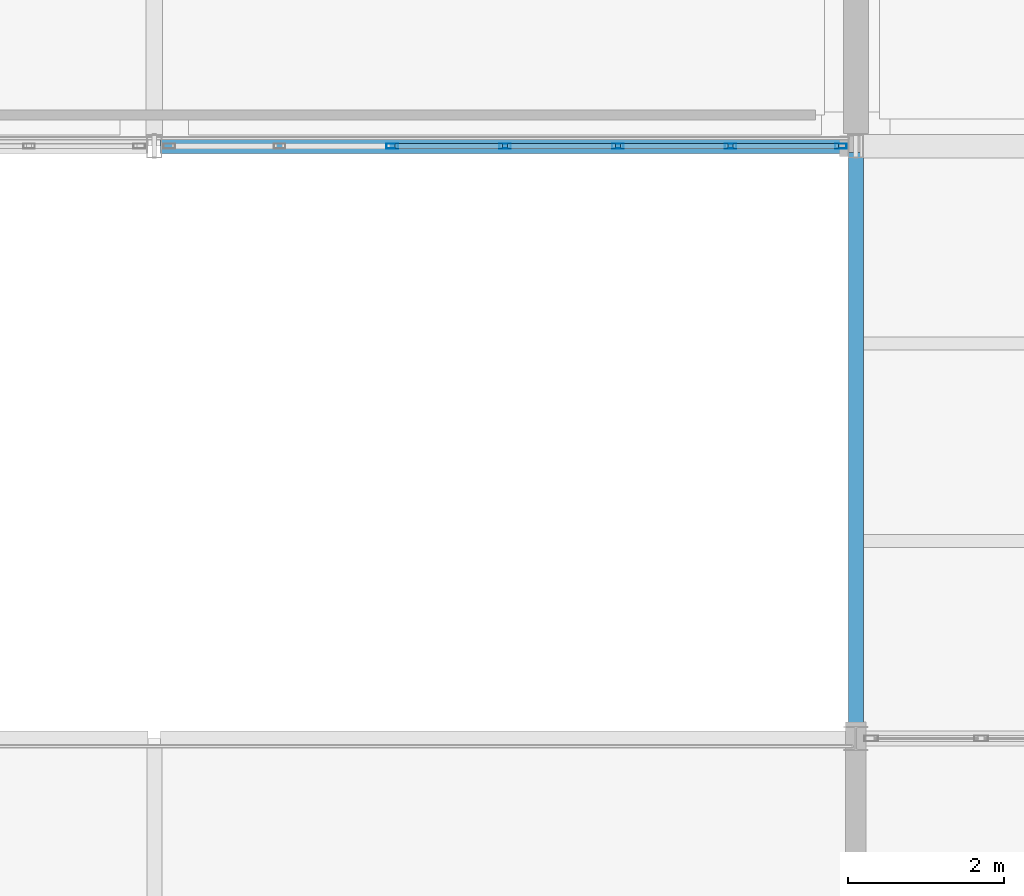
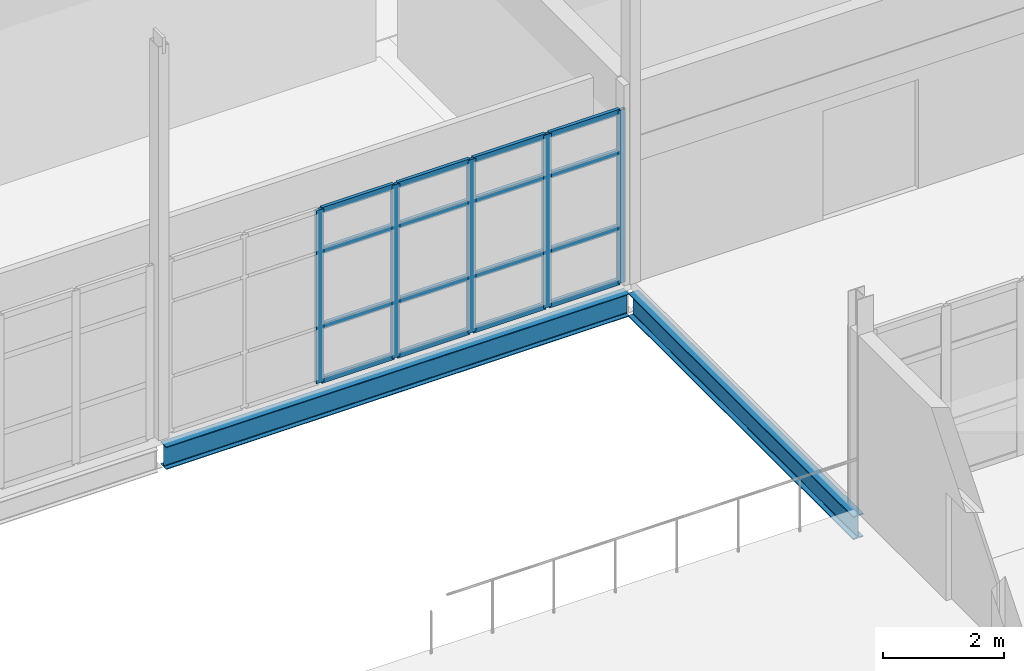
# One storey, part 35 of 166: 21 members, 2 beams, 1 element without a shape of its own.
"""IFC4 building model written with IfcOpenShell, lengths in metres."""

from ifc_helpers import new_model, si_unit, direction, frame, origin, origin_2d, place, context, subcontext, project, spatial, hollow_rectangle, i_section, extrude, material, material_profile, profile_set, type_object, element, aggregate, save


model = new_model("IFC4")

# Units and contexts
model_context = context("Model", 3, precision=1e-05, world=origin(), true_north=direction((0.0, 1.0)))
body_context = subcontext(model_context, "Body", "Model", "MODEL_VIEW")
ifc_project = project(units=[si_unit("LENGTHUNIT", "METRE"), si_unit("AREAUNIT", "SQUARE_METRE"), si_unit("VOLUMEUNIT", "CUBIC_METRE"), si_unit("PLANEANGLEUNIT", "RADIAN"), si_unit("MASSUNIT", "GRAM", prefix="KILO")], contexts=[model_context])

# Site, building, storey
site_placement = place(None, origin())
site = spatial("IfcSite", under=ifc_project, at=site_placement, CompositionType="ELEMENT")
building_placement = place(site_placement, origin())
building = spatial("IfcBuilding", under=site, at=building_placement, Name="Caisbarro Railhouse Central Library", CompositionType="ELEMENT")
storey_placement = place(building_placement, frame((0.0, 0.0, 9.360107421875)))
storey = spatial("IfcBuildingStorey", under=building, at=storey_placement, Name="L02", CompositionType="ELEMENT", Elevation=9.360107421875)

# Beams
ifc_material_1 = material(Name="Steel ASTM A572 Grade 50", Category="steel")
ifc_material_profile_1 = material_profile(ifc_material_1, i_section(OverallWidth=0.194091796875, OverallDepth=0.468994140625, WebThickness=0.0126953125, FlangeThickness=0.0205078125, FilletRadius=0.01806640625, at=origin_2d()), Name="W460X106.0")
ifc_profile_set_1 = profile_set([ifc_material_profile_1], Name="Steel ASTM A572 Grade 50")
beam_type_1 = type_object("IfcBeamType", Name="BM-G07", PredefinedType="BEAM", material=ifc_profile_set_1)
beam_1_placement = place(storey_placement, frame((54.0, 22.8798828125, -0.444580078125), z_axis=(0.0, 1.0, 0.0), x_axis=(-1.0, 0.0, 0.0)))
element("IfcBeam", 1, at=beam_1_placement, inside=storey, type_object=beam_type_1, Name="G07 beam L02 #1612", PredefinedType="BEAM", context=body_context, shape_type="SweptSolid", body=[
    extrude(i_section(OverallWidth=0.194091796875, OverallDepth=0.468994140625, WebThickness=0.0126953125, FlangeThickness=0.0205078125, FilletRadius=0.01806640625, at=origin_2d()), origin(), (0.0, 0.0, 1.0), 7.440185546875),
])
ifc_material_profile_2 = material_profile(ifc_material_1, i_section(OverallWidth=0.18994140625, OverallDepth=0.45703125, WebThickness=0.009033203125, FlangeThickness=0.014404296875, FilletRadius=0.01806640625, at=origin_2d()), Name="W460X74.0")
ifc_profile_set_2 = profile_set([ifc_material_profile_2], Name="Steel ASTM A572 Grade 50")
beam_type_2 = type_object("IfcBeamType", Name="BM-SP01", PredefinedType="SPANDREL", material=ifc_profile_set_2)
beam_2_placement = place(storey_placement, frame((45.080078125, 30.39990234375, -0.448486328125), z_axis=(1.0, 0.0, 0.0), x_axis=(0.0, 1.0, 0.0)))
element("IfcBeam", 2, at=beam_2_placement, inside=storey, type_object=beam_type_2, Name="SP01 beam L02 #1356", PredefinedType="SPANDREL", context=body_context, shape_type="SweptSolid", body=[
    extrude(i_section(OverallWidth=0.18994140625, OverallDepth=0.45703125, WebThickness=0.009033203125, FlangeThickness=0.014404296875, FilletRadius=0.01806640625, at=origin_2d()), origin(), (0.0, 0.0, 1.0), 8.83984375),
])

# Curtain wall, members
ifc_material_2 = material(Name="Anodised architectural aluminium", Category="aluminium")
curtain_wall_type = type_object("IfcCurtainWallType", Name="CW-CW02", PredefinedType="NOTDEFINED", material=ifc_material_2)
curtain_wall_placement = place(storey_placement, origin())
curtain_wall = element("IfcCurtainWall", 3, at=curtain_wall_placement, inside=storey, type_object=curtain_wall_type, Name="CW02 curtain wall L02 #47", PredefinedType="NOTDEFINED")
ifc_material_profile_3 = material_profile(ifc_material_2, hollow_rectangle(XDim=0.06494140625, YDim=0.14990234375, WallThickness=0.00390625, at=origin_2d()), Name="ALU-MUL-65X150")
ifc_profile_set_3 = profile_set([ifc_material_profile_3], Name="Anodised architectural aluminium")
member_type_1 = type_object("IfcMemberType", Name="CWM-M02", PredefinedType="MULLION", material=ifc_profile_set_3)
member_1_placement = place(storey_placement, frame((48.05322265625, 30.39990234375, 0.0), z_axis=(0.0, 0.0, 1.0), x_axis=(0.0, 1.0, 0.0)))
member_1 = element("IfcMember", 4, at=member_1_placement, type_object=member_type_1, Name="CW02 mullion 3", PredefinedType="MULLION", context=body_context, shape_type="SweptSolid", body=[
    extrude(hollow_rectangle(XDim=0.06494140625, YDim=0.14990234375, WallThickness=0.00390625, at=origin_2d()), origin(), (0.0, 0.0, 1.0), 3.489990234375),
])
member_2_placement = place(storey_placement, frame((49.5, 30.39990234375, 0.0), z_axis=(0.0, 0.0, 1.0), x_axis=(0.0, 1.0, 0.0)))
member_2 = element("IfcMember", 5, at=member_2_placement, type_object=member_type_1, Name="CW02 mullion 4", PredefinedType="MULLION", context=body_context, shape_type="SweptSolid", body=[
    extrude(hollow_rectangle(XDim=0.06494140625, YDim=0.14990234375, WallThickness=0.00390625, at=origin_2d()), origin(), (0.0, 0.0, 1.0), 3.489990234375),
])
member_3_placement = place(storey_placement, frame((50.94677734375, 30.39990234375, 0.0), z_axis=(0.0, 0.0, 1.0), x_axis=(0.0, 1.0, 0.0)))
member_3 = element("IfcMember", 6, at=member_3_placement, type_object=member_type_1, Name="CW02 mullion 5", PredefinedType="MULLION", context=body_context, shape_type="SweptSolid", body=[
    extrude(hollow_rectangle(XDim=0.06494140625, YDim=0.14990234375, WallThickness=0.00390625, at=origin_2d()), origin(), (0.0, 0.0, 1.0), 3.489990234375),
])
member_4_placement = place(storey_placement, frame((52.393310546875, 30.39990234375, 0.0), z_axis=(0.0, 0.0, 1.0), x_axis=(0.0, 1.0, 0.0)))
member_4 = element("IfcMember", 7, at=member_4_placement, type_object=member_type_1, Name="CW02 mullion 6", PredefinedType="MULLION", context=body_context, shape_type="SweptSolid", body=[
    extrude(hollow_rectangle(XDim=0.06494140625, YDim=0.14990234375, WallThickness=0.00390625, at=origin_2d()), origin(), (0.0, 0.0, 1.0), 3.489990234375),
])
member_5_placement = place(storey_placement, frame((53.8076171875, 30.39990234375, 0.0), z_axis=(0.0, 0.0, 1.0), x_axis=(0.0, 1.0, 0.0)))
member_5 = element("IfcMember", 8, at=member_5_placement, type_object=member_type_1, Name="CW02 mullion 7", PredefinedType="MULLION", context=body_context, shape_type="SweptSolid", body=[
    extrude(hollow_rectangle(XDim=0.06494140625, YDim=0.14990234375, WallThickness=0.00390625, at=origin_2d()), origin(), (0.0, 0.0, 1.0), 3.489990234375),
])
ifc_material_profile_4 = material_profile(ifc_material_2, hollow_rectangle(XDim=0.06494140625, YDim=0.1201171875, WallThickness=0.00341796875, at=origin_2d()), Name="ALU-TRN-65X120")
ifc_profile_set_4 = profile_set([ifc_material_profile_4], Name="Anodised architectural aluminium")
member_type_2 = type_object("IfcMemberType", Name="CWT-T02", PredefinedType="USERDEFINED", material=ifc_profile_set_4)
member_6_placement = place(storey_placement, frame((48.0859375, 30.39990234375, 0.032470703125), z_axis=(1.0, 0.0, 0.0), x_axis=(0.0, 1.0, 0.0)))
member_6 = element("IfcMember", 9, at=member_6_placement, type_object=member_type_2, Name="CW02 transom 3.1", ObjectType="TRANSOM", PredefinedType="USERDEFINED", context=body_context, shape_type="SweptSolid", body=[
    extrude(hollow_rectangle(XDim=0.06494140625, YDim=0.1201171875, WallThickness=0.00341796875, at=origin_2d()), origin(), (0.0, 0.0, 1.0), 1.381591796875),
])
member_7_placement = place(storey_placement, frame((48.0859375, 30.39990234375, 1.119873046875), z_axis=(1.0, 0.0, 0.0), x_axis=(0.0, 1.0, 0.0)))
member_7 = element("IfcMember", 10, at=member_7_placement, type_object=member_type_2, Name="CW02 transom 3.2", ObjectType="TRANSOM", PredefinedType="USERDEFINED", context=body_context, shape_type="SweptSolid", body=[
    extrude(hollow_rectangle(XDim=0.06494140625, YDim=0.1201171875, WallThickness=0.00341796875, at=origin_2d()), origin(), (0.0, 0.0, 1.0), 1.381591796875),
])
member_8_placement = place(storey_placement, frame((48.0859375, 30.39990234375, 2.639892578125), z_axis=(1.0, 0.0, 0.0), x_axis=(0.0, 1.0, 0.0)))
member_8 = element("IfcMember", 11, at=member_8_placement, type_object=member_type_2, Name="CW02 transom 3.3", ObjectType="TRANSOM", PredefinedType="USERDEFINED", context=body_context, shape_type="SweptSolid", body=[
    extrude(hollow_rectangle(XDim=0.06494140625, YDim=0.1201171875, WallThickness=0.00341796875, at=origin_2d()), origin(), (0.0, 0.0, 1.0), 1.381591796875),
])
member_9_placement = place(storey_placement, frame((48.0859375, 30.39990234375, 3.457275390625), z_axis=(1.0, 0.0, 0.0), x_axis=(0.0, 1.0, 0.0)))
member_9 = element("IfcMember", 12, at=member_9_placement, type_object=member_type_2, Name="CW02 transom 3.4", ObjectType="TRANSOM", PredefinedType="USERDEFINED", context=body_context, shape_type="SweptSolid", body=[
    extrude(hollow_rectangle(XDim=0.06494140625, YDim=0.1201171875, WallThickness=0.00341796875, at=origin_2d()), origin(), (0.0, 0.0, 1.0), 1.381591796875),
])
member_10_placement = place(storey_placement, frame((49.532470703125, 30.39990234375, 0.032470703125), z_axis=(1.0, 0.0, 0.0), x_axis=(0.0, 1.0, 0.0)))
member_10 = element("IfcMember", 13, at=member_10_placement, type_object=member_type_2, Name="CW02 transom 4.1", ObjectType="TRANSOM", PredefinedType="USERDEFINED", context=body_context, shape_type="SweptSolid", body=[
    extrude(hollow_rectangle(XDim=0.06494140625, YDim=0.1201171875, WallThickness=0.00341796875, at=origin_2d()), origin(), (0.0, 0.0, 1.0), 1.381591796875),
])
member_11_placement = place(storey_placement, frame((49.532470703125, 30.39990234375, 1.119873046875), z_axis=(1.0, 0.0, 0.0), x_axis=(0.0, 1.0, 0.0)))
member_11 = element("IfcMember", 14, at=member_11_placement, type_object=member_type_2, Name="CW02 transom 4.2", ObjectType="TRANSOM", PredefinedType="USERDEFINED", context=body_context, shape_type="SweptSolid", body=[
    extrude(hollow_rectangle(XDim=0.06494140625, YDim=0.1201171875, WallThickness=0.00341796875, at=origin_2d()), origin(), (0.0, 0.0, 1.0), 1.381591796875),
])
member_12_placement = place(storey_placement, frame((49.532470703125, 30.39990234375, 2.639892578125), z_axis=(1.0, 0.0, 0.0), x_axis=(0.0, 1.0, 0.0)))
member_12 = element("IfcMember", 15, at=member_12_placement, type_object=member_type_2, Name="CW02 transom 4.3", ObjectType="TRANSOM", PredefinedType="USERDEFINED", context=body_context, shape_type="SweptSolid", body=[
    extrude(hollow_rectangle(XDim=0.06494140625, YDim=0.1201171875, WallThickness=0.00341796875, at=origin_2d()), origin(), (0.0, 0.0, 1.0), 1.381591796875),
])
member_13_placement = place(storey_placement, frame((49.532470703125, 30.39990234375, 3.457275390625), z_axis=(1.0, 0.0, 0.0), x_axis=(0.0, 1.0, 0.0)))
member_13 = element("IfcMember", 16, at=member_13_placement, type_object=member_type_2, Name="CW02 transom 4.4", ObjectType="TRANSOM", PredefinedType="USERDEFINED", context=body_context, shape_type="SweptSolid", body=[
    extrude(hollow_rectangle(XDim=0.06494140625, YDim=0.1201171875, WallThickness=0.00341796875, at=origin_2d()), origin(), (0.0, 0.0, 1.0), 1.381591796875),
])
member_14_placement = place(storey_placement, frame((50.979248046875, 30.39990234375, 0.032470703125), z_axis=(1.0, 0.0, 0.0), x_axis=(0.0, 1.0, 0.0)))
member_14 = element("IfcMember", 17, at=member_14_placement, type_object=member_type_2, Name="CW02 transom 5.1", ObjectType="TRANSOM", PredefinedType="USERDEFINED", context=body_context, shape_type="SweptSolid", body=[
    extrude(hollow_rectangle(XDim=0.06494140625, YDim=0.1201171875, WallThickness=0.00341796875, at=origin_2d()), origin(), (0.0, 0.0, 1.0), 1.381591796875),
])
member_15_placement = place(storey_placement, frame((50.979248046875, 30.39990234375, 1.119873046875), z_axis=(1.0, 0.0, 0.0), x_axis=(0.0, 1.0, 0.0)))
member_15 = element("IfcMember", 18, at=member_15_placement, type_object=member_type_2, Name="CW02 transom 5.2", ObjectType="TRANSOM", PredefinedType="USERDEFINED", context=body_context, shape_type="SweptSolid", body=[
    extrude(hollow_rectangle(XDim=0.06494140625, YDim=0.1201171875, WallThickness=0.00341796875, at=origin_2d()), origin(), (0.0, 0.0, 1.0), 1.381591796875),
])
member_16_placement = place(storey_placement, frame((50.979248046875, 30.39990234375, 2.639892578125), z_axis=(1.0, 0.0, 0.0), x_axis=(0.0, 1.0, 0.0)))
member_16 = element("IfcMember", 19, at=member_16_placement, type_object=member_type_2, Name="CW02 transom 5.3", ObjectType="TRANSOM", PredefinedType="USERDEFINED", context=body_context, shape_type="SweptSolid", body=[
    extrude(hollow_rectangle(XDim=0.06494140625, YDim=0.1201171875, WallThickness=0.00341796875, at=origin_2d()), origin(), (0.0, 0.0, 1.0), 1.381591796875),
])
member_17_placement = place(storey_placement, frame((50.979248046875, 30.39990234375, 3.457275390625), z_axis=(1.0, 0.0, 0.0), x_axis=(0.0, 1.0, 0.0)))
member_17 = element("IfcMember", 20, at=member_17_placement, type_object=member_type_2, Name="CW02 transom 5.4", ObjectType="TRANSOM", PredefinedType="USERDEFINED", context=body_context, shape_type="SweptSolid", body=[
    extrude(hollow_rectangle(XDim=0.06494140625, YDim=0.1201171875, WallThickness=0.00341796875, at=origin_2d()), origin(), (0.0, 0.0, 1.0), 1.381591796875),
])
member_18_placement = place(storey_placement, frame((52.42578125, 30.39990234375, 0.032470703125), z_axis=(1.0, 0.0, 0.0), x_axis=(0.0, 1.0, 0.0)))
member_18 = element("IfcMember", 21, at=member_18_placement, type_object=member_type_2, Name="CW02 transom 6.1", ObjectType="TRANSOM", PredefinedType="USERDEFINED", context=body_context, shape_type="SweptSolid", body=[
    extrude(hollow_rectangle(XDim=0.06494140625, YDim=0.1201171875, WallThickness=0.00341796875, at=origin_2d()), origin(), (0.0, 0.0, 1.0), 1.34912109375),
])
member_19_placement = place(storey_placement, frame((52.42578125, 30.39990234375, 1.119873046875), z_axis=(1.0, 0.0, 0.0), x_axis=(0.0, 1.0, 0.0)))
member_19 = element("IfcMember", 22, at=member_19_placement, type_object=member_type_2, Name="CW02 transom 6.2", ObjectType="TRANSOM", PredefinedType="USERDEFINED", context=body_context, shape_type="SweptSolid", body=[
    extrude(hollow_rectangle(XDim=0.06494140625, YDim=0.1201171875, WallThickness=0.00341796875, at=origin_2d()), origin(), (0.0, 0.0, 1.0), 1.34912109375),
])
member_20_placement = place(storey_placement, frame((52.42578125, 30.39990234375, 2.639892578125), z_axis=(1.0, 0.0, 0.0), x_axis=(0.0, 1.0, 0.0)))
member_20 = element("IfcMember", 23, at=member_20_placement, type_object=member_type_2, Name="CW02 transom 6.3", ObjectType="TRANSOM", PredefinedType="USERDEFINED", context=body_context, shape_type="SweptSolid", body=[
    extrude(hollow_rectangle(XDim=0.06494140625, YDim=0.1201171875, WallThickness=0.00341796875, at=origin_2d()), origin(), (0.0, 0.0, 1.0), 1.34912109375),
])
member_21_placement = place(storey_placement, frame((52.42578125, 30.39990234375, 3.457275390625), z_axis=(1.0, 0.0, 0.0), x_axis=(0.0, 1.0, 0.0)))
member_21 = element("IfcMember", 24, at=member_21_placement, type_object=member_type_2, Name="CW02 transom 6.4", ObjectType="TRANSOM", PredefinedType="USERDEFINED", context=body_context, shape_type="SweptSolid", body=[
    extrude(hollow_rectangle(XDim=0.06494140625, YDim=0.1201171875, WallThickness=0.00341796875, at=origin_2d()), origin(), (0.0, 0.0, 1.0), 1.34912109375),
])
aggregate(curtain_wall, [member_1, member_2, member_3, member_4, member_5, member_6, member_7, member_8, member_9, member_10, member_11, member_12, member_13, member_14, member_15, member_16, member_17, member_18, member_19, member_20, member_21])

save(model, "model.ifc")
